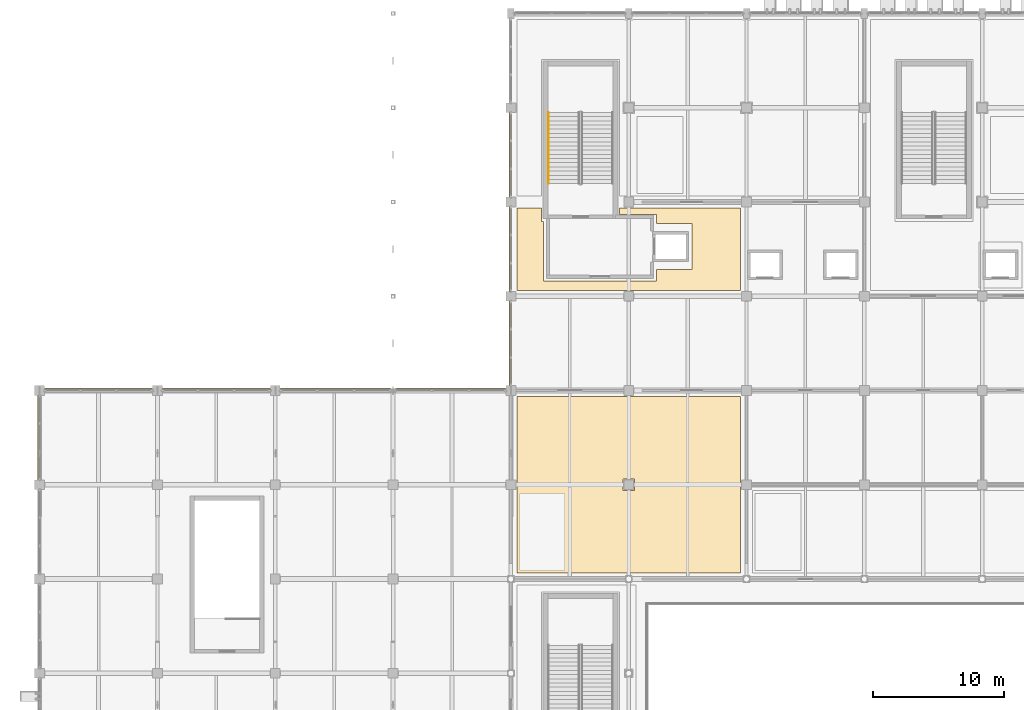
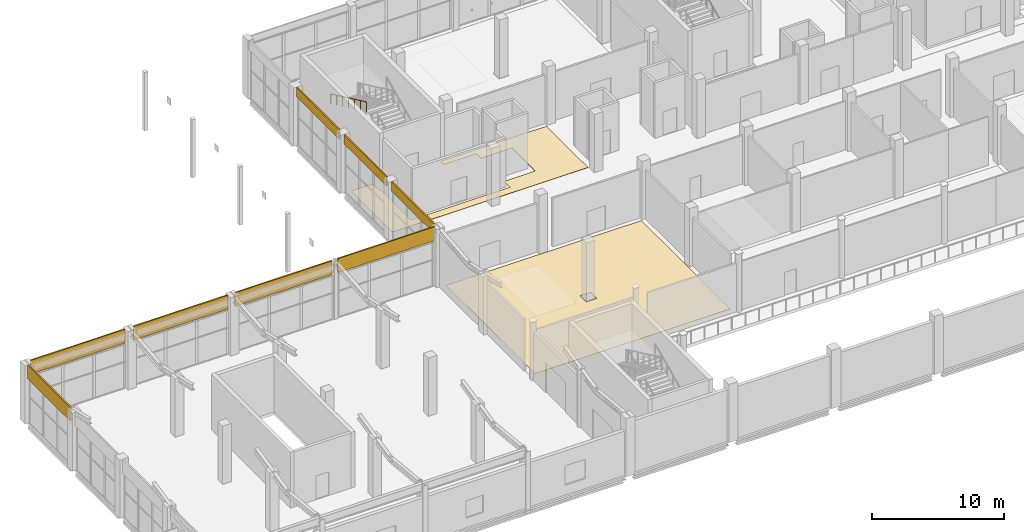
# One storey, part 177 of 189: 10 coverings, 1 railing.
"""IFC4 building model written with IfcOpenShell, lengths in metres."""

from ifc_helpers import new_model, si_unit, direction, frame, origin, origin_2d, place, context, subcontext, project, spatial, polyline, rectangle, circle, outline, extrude, material, layer, layer_set, type_object, element, save


model = new_model("IFC4")

# Units and contexts
model_context = context("Model", 3, precision=1e-05, world=origin(), true_north=direction((0.0, 1.0)))
body_context = subcontext(model_context, "Body", "Model", "MODEL_VIEW")
ifc_project = project(units=[si_unit("LENGTHUNIT", "METRE"), si_unit("AREAUNIT", "SQUARE_METRE"), si_unit("VOLUMEUNIT", "CUBIC_METRE"), si_unit("PLANEANGLEUNIT", "RADIAN"), si_unit("MASSUNIT", "GRAM", prefix="KILO")], contexts=[model_context])

# Site, building, storey
site_placement = place(None, origin())
site = spatial("IfcSite", under=ifc_project, at=site_placement, CompositionType="ELEMENT")
building_placement = place(site_placement, origin())
building = spatial("IfcBuilding", under=site, at=building_placement, Name="Celestram Park Convention Centre", CompositionType="ELEMENT")
storey_placement = place(building_placement, frame((0.0, 0.0, 5.39990234375)))
storey = spatial("IfcBuildingStorey", under=building, at=storey_placement, Name="L01", CompositionType="ELEMENT", Elevation=5.39990234375)

# Coverings
ifc_material_1 = material(Name="Anodised Bronze Aluminium Spandrel Cladding", Category="aluminium")
ifc_layer_1 = layer(ifc_material_1, 0.050048828125)
ifc_layer_set_1 = layer_set([ifc_layer_1], Name="Anodised Bronze Aluminium Spandrel Cladding")
covering_type_1 = type_object("IfcCoveringType", Name="ARC-COV-CLD060", PredefinedType="CLADDING", material=ifc_layer_set_1)
covering_1_placement = place(storey_placement, frame((-0.080078125, 133.199951171875, 4.1201171875), z_axis=(0.0, 0.0, 1.0), x_axis=(0.0, 1.0, 0.0)))
element("IfcCovering", 1, at=covering_1_placement, inside=storey, type_object=covering_type_1, Name="Bronze spandrel cladding CL-L01-046", PredefinedType="CLADDING", context=body_context, shape_type="SweptSolid", body=[
    extrude(rectangle(XDim=6.4541015625, YDim=0.1201171875, at=origin_2d()), origin(), (0.0, 0.0, 1.0), 1.280029296875),
])
for number, where, z_axis, x_axis, name in (
    (2, (4.5, 136.8798828125, 4.1201171875), (0.0, 0.0, 1.0), (1.0, 0.0, 0.0), "Bronze spandrel cladding CL-L01-047"),
    (3, (13.5, 136.8798828125, 4.1201171875), (0.0, 0.0, 1.0), (1.0, 0.0, 0.0), "Bronze spandrel cladding CL-L01-048"),
):
    element("IfcCovering", number, at=place(storey_placement, frame(where, z_axis=z_axis, x_axis=x_axis)), inside=storey, type_object=covering_type_1, Name=name, PredefinedType="CLADDING", context=body_context, shape_type="SweptSolid", body=[
        extrude(rectangle(XDim=8.25390625, YDim=0.1201171875, at=origin_2d()), origin(), (0.0, 0.0, 1.0), 1.280029296875),
    ])
for number, where, z_axis, x_axis, name in (
    (4, (22.5, 136.8798828125, 4.1201171875), (0.0, 0.0, 1.0), (1.0, 0.0, 0.0), "Bronze spandrel cladding CL-L01-049"),
    (5, (31.5, 136.8798828125, 4.1201171875), (0.0, 0.0, 1.0), (1.0, 0.0, 0.0), "Bronze spandrel cladding CL-L01-050"),
):
    element("IfcCovering", number, at=place(storey_placement, frame(where, z_axis=z_axis, x_axis=x_axis)), inside=storey, type_object=covering_type_1, Name=name, PredefinedType="CLADDING", context=body_context, shape_type="SweptSolid", body=[
        extrude(rectangle(XDim=8.47900390625, YDim=0.1201171875, at=origin_2d()), origin(), (0.0, 0.0, 1.0), 1.280029296875),
    ])
for number, where, z_axis, x_axis, name in (
    (6, (35.919921875, 140.39990234375, 4.528076171875), (0.0, 0.0, 1.0), (0.0, 1.0, 0.0), "Bronze spandrel cladding CL-L01-051"),
    (7, (35.919921875, 147.60009765625, 4.528076171875), (0.0, 0.0, 1.0), (0.0, 1.0, 0.0), "Bronze spandrel cladding CL-L01-052"),
    (8, (35.919921875, 154.800048828125, 4.528076171875), (0.0, 0.0, 1.0), (0.0, 1.0, 0.0), "Bronze spandrel cladding CL-L01-053"),
):
    element("IfcCovering", number, at=place(storey_placement, frame(where, z_axis=z_axis, x_axis=x_axis)), inside=storey, type_object=covering_type_1, Name=name, PredefinedType="CLADDING", context=body_context, shape_type="SweptSolid", body=[
        extrude(rectangle(XDim=6.4541015625, YDim=0.1201171875, at=origin_2d()), origin(), (0.0, 0.0, 1.0), 0.8720703125),
    ])
ifc_material_2 = material(Name="Polished Lakefront Aggregate Terrazzo Flooring", Category="concrete")
ifc_layer_2 = layer(ifc_material_2, 0.02001953125)
ifc_layer_set_2 = layer_set([ifc_layer_2], Name="Polished Lakefront Aggregate Terrazzo Flooring")
covering_type_2 = type_object("IfcCoveringType", Name="ARC-COV-FLR020", PredefinedType="FLOORING", material=ifc_layer_set_2)
covering_2_placement = place(storey_placement, origin())
element("IfcCovering", 9, at=covering_2_placement, inside=storey, type_object=covering_type_2, Name="Breakout Seminar Room 101 terrazzo flooring", PredefinedType="FLOORING", context=body_context, shape_type="SweptSolid", body=[
    extrude(outline(polyline([(44.547119140625, 136.35009765625), (44.547119140625, 136.346923828125), (45.452880859375, 136.346923828125), (45.452880859375, 136.35009765625), (53.547119140625, 136.35009765625), (53.547119140625, 136.346923828125), (53.550048828125, 136.346923828125), (53.550048828125, 130.052978515625), (53.547119140625, 130.052978515625), (53.547119140625, 129.14697265625), (53.550048828125, 129.14697265625), (53.550048828125, 122.85009765625), (36.449951171875, 122.85009765625), (36.449951171875, 129.14697265625), (36.452880859375, 129.14697265625), (36.452880859375, 130.052978515625), (36.449951171875, 130.052978515625), (36.449951171875, 136.346923828125), (36.452880859375, 136.346923828125), (36.452880859375, 136.35009765625), (44.547119140625, 136.35009765625)]), holes=[polyline([(45.452880859375, 130.052978515625), (44.547119140625, 130.052978515625), (44.547119140625, 129.14697265625), (45.452880859375, 129.14697265625), (45.452880859375, 130.052978515625)])]), origin(), (0.0, 0.0, 1.0), 0.02001953125),
])
covering_3_placement = place(storey_placement, origin())
element("IfcCovering", 10, at=covering_3_placement, inside=storey, type_object=covering_type_2, Name="North Elevator Lobby L01 terrazzo flooring", PredefinedType="FLOORING", context=body_context, shape_type="SweptSolid", body=[
    extrude(outline(polyline([(38.340087890625, 150.75), (38.340087890625, 149.699951171875), (38.489990234375, 149.699951171875), (38.489990234375, 145.14990234375), (47.1298828125, 145.14990234375), (47.1298828125, 146.050048828125), (49.85009765625, 146.050048828125), (49.85009765625, 149.550048828125), (47.1298828125, 149.550048828125), (47.1298828125, 150.25), (44.300048828125, 150.25), (44.300048828125, 150.75), (44.547119140625, 150.75), (44.547119140625, 150.7470703125), (45.452880859375, 150.7470703125), (45.452880859375, 150.75), (53.547119140625, 150.75), (53.547119140625, 150.7470703125), (53.550048828125, 150.7470703125), (53.550048828125, 144.452880859375), (53.547119140625, 144.452880859375), (53.547119140625, 144.449951171875), (45.452880859375, 144.449951171875), (45.452880859375, 144.452880859375), (44.547119140625, 144.452880859375), (44.547119140625, 144.449951171875), (36.452880859375, 144.449951171875), (36.452880859375, 144.452880859375), (36.449951171875, 144.452880859375), (36.449951171875, 150.7470703125), (36.452880859375, 150.7470703125), (36.452880859375, 150.75), (38.340087890625, 150.75)])), origin(), (0.0, 0.0, 1.0), 0.02001953125),
])

# Railing
ifc_material_3 = material(Name="Brushed Stainless Steel AISI 304", Category="steel")
ifc_layer_3 = layer(ifc_material_3, 0.048095703125)
ifc_layer_set_3 = layer_set([ifc_layer_3], Name="Brushed Stainless Steel AISI 304")
railing_type = type_object("IfcRailingType", Name="ARC-RL-HND915", PredefinedType="HANDRAIL", material=ifc_layer_set_3)
railing_placement = place(storey_placement, frame((38.8759765625, 158.0400390625, 2.85009765625)))
element("IfcRailing", 11, at=railing_placement, inside=storey, type_object=railing_type, Name="L01 ST-01 stair handrail 2", PredefinedType="HANDRAIL", context=body_context, shape_type="SweptSolid", body=[
    extrude(circle(Radius=0.02392578125, at=origin_2d()), frame((0.0, 0.0, 0.8759765625), z_axis=(0.0, -0.90545405566, 0.424444287379), x_axis=(1.0, 0.0, 0.0)), (0.0, 0.0, 1.0), 6.008056640625),
    extrude(circle(Radius=0.02099609375, at=origin_2d()), origin(), (0.0, 0.0, 1.0), 0.851806640625),
    extrude(circle(Radius=0.02099609375, at=origin_2d()), frame((0.0, -0.90673828125, 0.425048828125)), (0.0, 0.0, 1.0), 0.851806640625),
    extrude(circle(Radius=0.02099609375, at=origin_2d()), frame((0.0, -1.813232421875, 0.85009765625)), (0.0, 0.0, 1.0), 0.851806640625),
    extrude(circle(Radius=0.02099609375, at=origin_2d()), frame((0.0, -2.719970703125, 1.27490234375)), (0.0, 0.0, 1.0), 0.851806640625),
    extrude(circle(Radius=0.02099609375, at=origin_2d()), frame((0.0, -3.626708984375, 1.699951171875)), (0.0, 0.0, 1.0), 0.851806640625),
    extrude(circle(Radius=0.02099609375, at=origin_2d()), frame((0.0, -4.533203125, 2.125)), (0.0, 0.0, 1.0), 0.851806640625),
    extrude(circle(Radius=0.02099609375, at=origin_2d()), frame((0.0, -5.43994140625, 2.550048828125)), (0.0, 0.0, 1.0), 0.851806640625),
])

save(model, "model.ifc")
